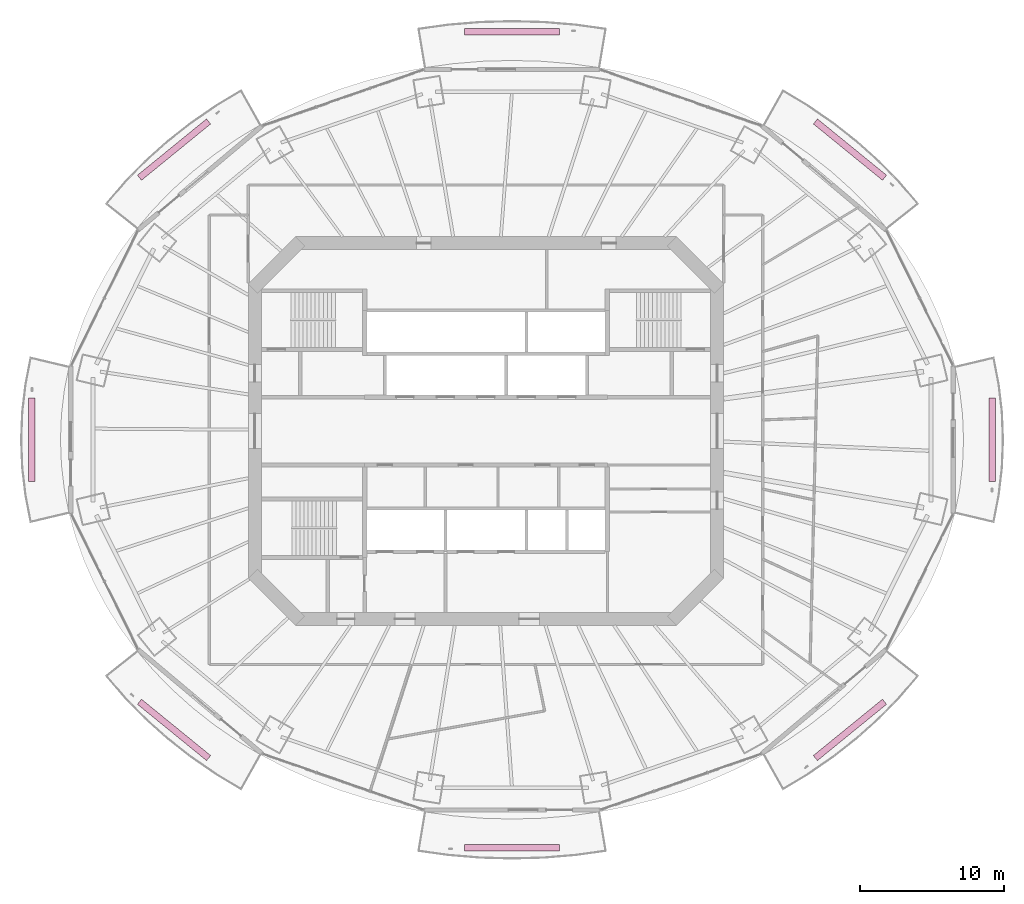
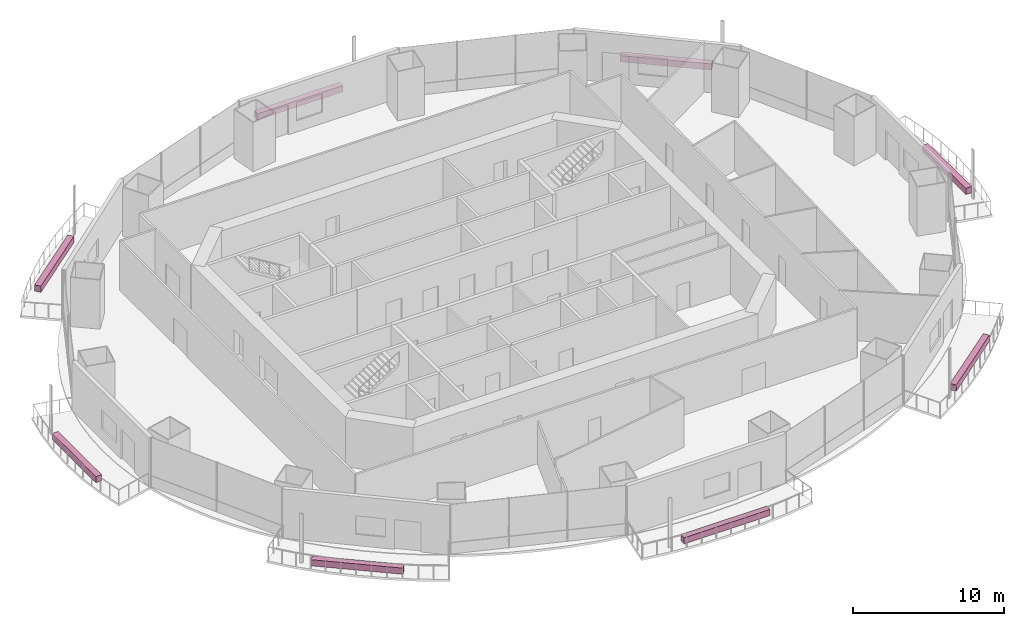
# One storey, part 20 of 20: 8 furnishings.
"""IFC4 building model written with IfcOpenShell, lengths in metres."""

from ifc_helpers import new_model, si_unit, direction, frame, origin, origin_2d, place, context, subcontext, project, spatial, rectangle, extrude, material, type_object, element, save


model = new_model("IFC4")

# Units and contexts
model_context = context("Model", 3, precision=1e-05, world=origin(), true_north=direction((0.0, 1.0)))
body_context = subcontext(model_context, "Body", "Model", "MODEL_VIEW")
ifc_project = project(units=[si_unit("LENGTHUNIT", "METRE"), si_unit("AREAUNIT", "SQUARE_METRE"), si_unit("VOLUMEUNIT", "CUBIC_METRE"), si_unit("PLANEANGLEUNIT", "RADIAN"), si_unit("MASSUNIT", "GRAM", prefix="KILO")], contexts=[model_context])

# Site, building, storey
site_placement = place(None, origin())
site = spatial("IfcSite", under=ifc_project, at=site_placement, CompositionType="ELEMENT")
building_placement = place(site_placement, origin())
building = spatial("IfcBuilding", under=site, at=building_placement, Name="Marenthal Gate Tower", CompositionType="ELEMENT")
storey_placement = place(building_placement, frame((0.0, 0.0, 215.0)))
storey = spatial("IfcBuildingStorey", under=building, at=storey_placement, Name="L47", CompositionType="ELEMENT", Elevation=215.0)

# Furnishings
ifc_material = material(Name="Planting soil and foliage", Category="planting")
furnishing_element_type = type_object("IfcFurnishingElementType", Name="Balcony PLANTER trough", material=ifc_material)
furnishing_1_placement = place(storey_placement, frame((25.189697265625, 19.4814453125, -0.0400390625), z_axis=(0.0, 0.0, 1.0), x_axis=(-0.775395522059, 0.631475877901, 0.0)))
element("IfcFurnishingElement", 1, at=furnishing_1_placement, inside=storey, type_object=furnishing_element_type, Name="Balcony PLANTER L47 bay 2", ObjectType="PLANTER", context=body_context, shape_type="SweptSolid", body=[
    extrude(rectangle(XDim=6.1689453125, YDim=0.449951171875, at=origin_2d()), origin(), (0.0, 0.0, 1.0), 0.5),
])
furnishing_2_placement = place(storey_placement, frame((1.800048828125, 27.64501953125, -0.0400390625), z_axis=(0.0, 0.0, 1.0), x_axis=(-1.0, 0.0, 0.0)))
element("IfcFurnishingElement", 2, at=furnishing_2_placement, inside=storey, type_object=furnishing_element_type, Name="Balcony PLANTER L47 bay 4", ObjectType="PLANTER", context=body_context, shape_type="SweptSolid", body=[
    extrude(rectangle(XDim=6.55810546875, YDim=0.449951171875, at=origin_2d()), origin(), (0.0, 0.0, 1.0), 0.5),
])
furnishing_3_placement = place(storey_placement, frame((-21.589599609375, 19.4814453125, -0.0400390625), z_axis=(0.0, 0.0, 1.0), x_axis=(-0.775395522059, -0.631475877901, 0.0)))
element("IfcFurnishingElement", 3, at=furnishing_3_placement, inside=storey, type_object=furnishing_element_type, Name="Balcony PLANTER L47 bay 6", ObjectType="PLANTER", context=body_context, shape_type="SweptSolid", body=[
    extrude(rectangle(XDim=6.1689453125, YDim=0.449951171875, at=origin_2d()), origin(), (0.0, 0.0, 1.0), 0.5),
])
furnishing_4_placement = place(storey_placement, frame((-31.445068359375, -0.60009765625, -0.0400390625), z_axis=(0.0, 0.0, 1.0), x_axis=(0.0, -1.0, 0.0)))
element("IfcFurnishingElement", 4, at=furnishing_4_placement, inside=storey, type_object=furnishing_element_type, Name="Balcony PLANTER L47 bay 8", ObjectType="PLANTER", context=body_context, shape_type="SweptSolid", body=[
    extrude(rectangle(XDim=5.766357421875, YDim=0.449951171875, at=origin_2d()), origin(), (0.0, 0.0, 1.0), 0.5),
])
furnishing_5_placement = place(storey_placement, frame((-21.589599609375, -20.681396484375, -0.0400390625), z_axis=(0.0, 0.0, 1.0), x_axis=(0.775395522059, -0.631475877901, 0.0)))
element("IfcFurnishingElement", 5, at=furnishing_5_placement, inside=storey, type_object=furnishing_element_type, Name="Balcony PLANTER L47 bay 10", ObjectType="PLANTER", context=body_context, shape_type="SweptSolid", body=[
    extrude(rectangle(XDim=6.1689453125, YDim=0.449951171875, at=origin_2d()), origin(), (0.0, 0.0, 1.0), 0.5),
])
furnishing_6_placement = place(storey_placement, frame((1.800048828125, -28.844970703125, -0.0400390625), z_axis=(0.0, 0.0, 1.0), x_axis=(1.0, 0.0, 0.0)))
element("IfcFurnishingElement", 6, at=furnishing_6_placement, inside=storey, type_object=furnishing_element_type, Name="Balcony PLANTER L47 bay 12", ObjectType="PLANTER", context=body_context, shape_type="SweptSolid", body=[
    extrude(rectangle(XDim=6.55810546875, YDim=0.449951171875, at=origin_2d()), origin(), (0.0, 0.0, 1.0), 0.5),
])
furnishing_7_placement = place(storey_placement, frame((25.189697265625, -20.681396484375, -0.0400390625), z_axis=(0.0, 0.0, 1.0), x_axis=(0.775395522059, 0.631475877901, 0.0)))
element("IfcFurnishingElement", 7, at=furnishing_7_placement, inside=storey, type_object=furnishing_element_type, Name="Balcony PLANTER L47 bay 14", ObjectType="PLANTER", context=body_context, shape_type="SweptSolid", body=[
    extrude(rectangle(XDim=6.1689453125, YDim=0.449951171875, at=origin_2d()), origin(), (0.0, 0.0, 1.0), 0.5),
])
furnishing_8_placement = place(storey_placement, frame((35.044921875, -0.60009765625, -0.0400390625), z_axis=(0.0, 0.0, 1.0), x_axis=(0.0, 1.0, 0.0)))
element("IfcFurnishingElement", 8, at=furnishing_8_placement, inside=storey, type_object=furnishing_element_type, Name="Balcony PLANTER L47 bay 16", ObjectType="PLANTER", context=body_context, shape_type="SweptSolid", body=[
    extrude(rectangle(XDim=5.766357421875, YDim=0.449951171875, at=origin_2d()), origin(), (0.0, 0.0, 1.0), 0.5),
])

save(model, "model.ifc")
